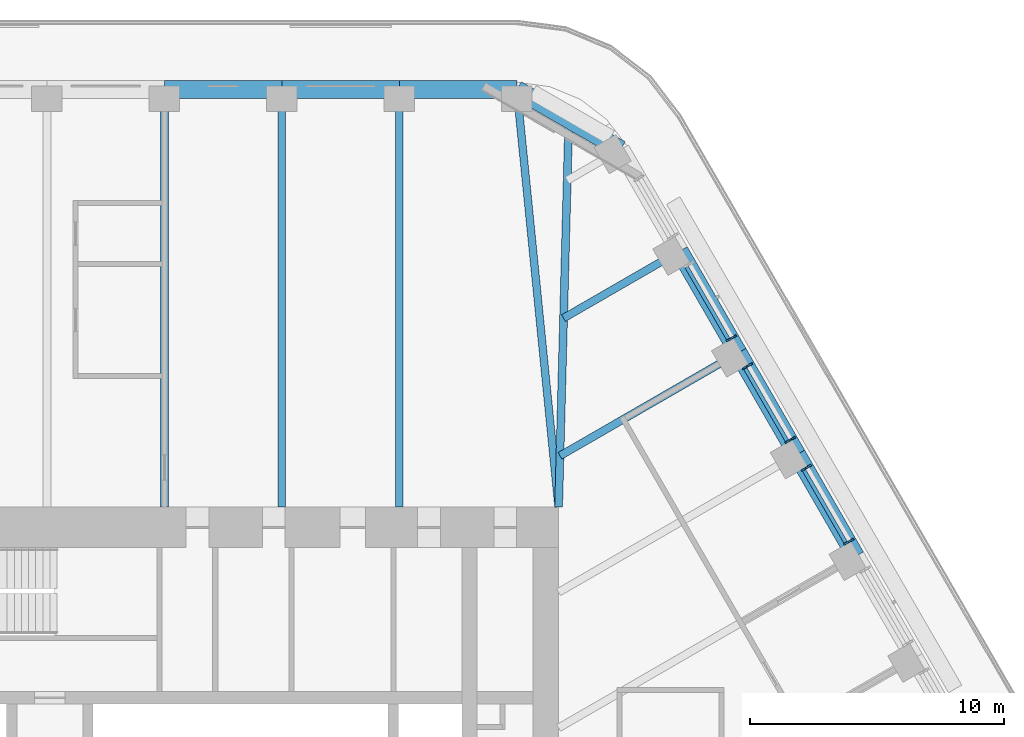
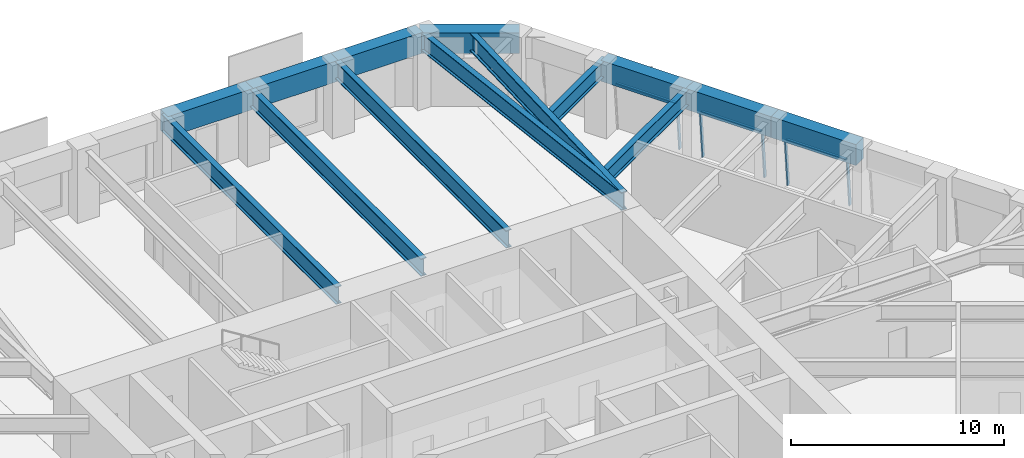
# One storey, part 11 of 20: 14 beams, 8 members, 3 elements without a shape of their own.
"""IFC4 building model written with IfcOpenShell, lengths in metres."""

from ifc_helpers import new_model, si_unit, direction, frame, origin, origin_2d, place, context, subcontext, project, spatial, rectangle, i_section, extrude, material, material_profile, profile_set, type_object, element, aggregate, save


model = new_model("IFC4")

# Units and contexts
model_context = context("Model", 3, precision=1e-05, world=origin(), true_north=direction((0.0, 1.0)))
body_context = subcontext(model_context, "Body", "Model", "MODEL_VIEW")
ifc_project = project(units=[si_unit("LENGTHUNIT", "METRE"), si_unit("AREAUNIT", "SQUARE_METRE"), si_unit("VOLUMEUNIT", "CUBIC_METRE"), si_unit("PLANEANGLEUNIT", "RADIAN"), si_unit("MASSUNIT", "GRAM", prefix="KILO")], contexts=[model_context])

# Site, building, storey
site_placement = place(None, origin())
site = spatial("IfcSite", under=ifc_project, at=site_placement, CompositionType="ELEMENT")
building_placement = place(site_placement, origin())
building = spatial("IfcBuilding", under=site, at=building_placement, Name="Tarfa Lantern Tower", CompositionType="ELEMENT")
storey_placement = place(building_placement, frame((0.0, 0.0, 261.699951171875)))
storey = spatial("IfcBuildingStorey", under=building, at=storey_placement, Name="L59", CompositionType="ELEMENT", Elevation=261.699951171875)

# Curtain wall, members
ifc_material_1 = material(Name="Aluminium framed curtain wall", Category="aluminium")
curtain_wall_type = type_object("IfcCurtainWallType", Name="CW3 CANTED GLAZING HIGH ZONE 2800", PredefinedType="USERDEFINED", material=ifc_material_1)
curtain_wall_1_placement = place(storey_placement, origin())
curtain_wall_1 = element("IfcCurtainWall", 1, at=curtain_wall_1_placement, inside=storey, type_object=curtain_wall_type, Name="CW3 NE L59", ObjectType="CURTAIN WALL", PredefinedType="USERDEFINED")
ifc_material_2 = material(Name="Aluminium mullion", Category="aluminium")
ifc_material_profile_1 = material_profile(ifc_material_2, rectangle(XDim=0.06494140625, YDim=0.199951171875, at=origin_2d()), Name="AL MULLION 65x200")
ifc_profile_set_1 = profile_set([ifc_material_profile_1], Name="Aluminium mullion")
member_type_1 = type_object("IfcMemberType", Name="CWM1 MULLION 65x200", PredefinedType="MULLION", material=ifc_profile_set_1)
member_1_placement = place(storey_placement, frame((27.021240234375, 10.997802734375, 0.0), z_axis=(-0.077032386753, -0.044465143199, 0.996036576854), x_axis=(0.499919672301, -0.866071776036, 0.0)))
member_1 = element("IfcMember", 2, at=member_1_placement, type_object=member_type_1, Name="CW3 mullion 1", PredefinedType="MULLION", context=body_context, shape_type="SweptSolid", body=[
    extrude(rectangle(XDim=0.06494140625, YDim=0.199951171875, at=origin_2d()), origin(), (0.0, 0.0, 1.0), 2.811279296875),
])
member_2_placement = place(storey_placement, frame((25.344482421875, 13.90234375, 0.0), z_axis=(-0.077032386753, -0.044465143199, 0.996036576854), x_axis=(0.499919672301, -0.866071776036, 0.0)))
member_2 = element("IfcMember", 3, at=member_2_placement, type_object=member_type_1, Name="CW3 mullion 2", PredefinedType="MULLION", context=body_context, shape_type="SweptSolid", body=[
    extrude(rectangle(XDim=0.06494140625, YDim=0.199951171875, at=origin_2d()), origin(), (0.0, 0.0, 1.0), 2.811279296875),
])

curtain_wall_2_placement = place(storey_placement, origin())
curtain_wall_2 = element("IfcCurtainWall", 4, at=curtain_wall_2_placement, inside=storey, type_object=curtain_wall_type, Name="CW3 NE L59", ObjectType="CURTAIN WALL", PredefinedType="USERDEFINED")
member_3_placement = place(storey_placement, frame((24.7119140625, 14.997802734375, 0.0), z_axis=(-0.077032386753, -0.044465143199, 0.996036576854), x_axis=(0.499919672301, -0.866071776036, 0.0)))
member_3 = element("IfcMember", 5, at=member_3_placement, type_object=member_type_1, Name="CW3 mullion 1", PredefinedType="MULLION", context=body_context, shape_type="SweptSolid", body=[
    extrude(rectangle(XDim=0.06494140625, YDim=0.199951171875, at=origin_2d()), origin(), (0.0, 0.0, 1.0), 2.811279296875),
])
member_4_placement = place(storey_placement, frame((23.034912109375, 17.90234375, 0.0), z_axis=(-0.077032386753, -0.044465143199, 0.996036576854), x_axis=(0.499919672301, -0.866071776036, 0.0)))
member_4 = element("IfcMember", 6, at=member_4_placement, type_object=member_type_1, Name="CW3 mullion 2", PredefinedType="MULLION", context=body_context, shape_type="SweptSolid", body=[
    extrude(rectangle(XDim=0.06494140625, YDim=0.199951171875, at=origin_2d()), origin(), (0.0, 0.0, 1.0), 2.811279296875),
])

# Curtain wall, member
curtain_wall_3_placement = place(storey_placement, origin())
curtain_wall_3 = element("IfcCurtainWall", 7, at=curtain_wall_3_placement, inside=storey, type_object=curtain_wall_type, Name="CW3 NE L59", ObjectType="CURTAIN WALL", PredefinedType="USERDEFINED")
member_5_placement = place(storey_placement, frame((22.402587890625, 18.997802734375, 0.0), z_axis=(-0.077032386753, -0.044465143199, 0.996036576854), x_axis=(0.499919672301, -0.866071776036, 0.0)))
member_5 = element("IfcMember", 8, at=member_5_placement, type_object=member_type_1, Name="CW3 mullion 1", PredefinedType="MULLION", context=body_context, shape_type="SweptSolid", body=[
    extrude(rectangle(XDim=0.06494140625, YDim=0.199951171875, at=origin_2d()), origin(), (0.0, 0.0, 1.0), 2.811279296875),
])

# Member
ifc_material_3 = material(Name="Aluminium transom", Category="aluminium")
ifc_material_profile_2 = material_profile(ifc_material_3, rectangle(XDim=0.14990234375, YDim=0.06494140625, at=origin_2d()), Name="AL TRANSOM 150x65")
ifc_profile_set_2 = profile_set([ifc_material_profile_2], Name="Aluminium transom")
member_type_2 = type_object("IfcMemberType", Name="CWT1 TRANSOM 150x65", PredefinedType="USERDEFINED", material=ifc_profile_set_2)
member_6_placement = place(storey_placement, frame((26.791015625, 10.90234375, 2.767578125), z_axis=(-0.499979497339, 0.866037240677, 0.0), x_axis=(-0.866037240677, -0.499979497339, 0.0)))
member_6 = element("IfcMember", 9, at=member_6_placement, type_object=member_type_2, Name="CW3 transom 1.2", ObjectType="TRANSOM", PredefinedType="USERDEFINED", context=body_context, shape_type="SweptSolid", body=[
    extrude(rectangle(XDim=0.14990234375, YDim=0.06494140625, at=origin_2d()), origin(), (0.0, 0.0, 1.0), 3.288818359375),
])

aggregate(curtain_wall_1, [member_1, member_2, member_6])

member_7_placement = place(storey_placement, frame((24.481689453125, 14.90234375, 2.767578125), z_axis=(-0.500035172766, 0.866005095826, 0.0), x_axis=(-0.866005095826, -0.500035172766, 0.0)))
member_7 = element("IfcMember", 10, at=member_7_placement, type_object=member_type_2, Name="CW3 transom 1.2", ObjectType="TRANSOM", PredefinedType="USERDEFINED", context=body_context, shape_type="SweptSolid", body=[
    extrude(rectangle(XDim=0.14990234375, YDim=0.06494140625, at=origin_2d()), origin(), (0.0, 0.0, 1.0), 3.288818359375),
])

aggregate(curtain_wall_2, [member_3, member_4, member_7])

member_8_placement = place(storey_placement, frame((22.172119140625, 18.90234375, 2.767578125), z_axis=(-0.499979497339, 0.866037240677, 0.0), x_axis=(-0.866037240677, -0.499979497339, 0.0)))
member_8 = element("IfcMember", 11, at=member_8_placement, type_object=member_type_2, Name="CW3 transom 1.2", ObjectType="TRANSOM", PredefinedType="USERDEFINED", context=body_context, shape_type="SweptSolid", body=[
    extrude(rectangle(XDim=0.14990234375, YDim=0.06494140625, at=origin_2d()), origin(), (0.0, 0.0, 1.0), 3.288818359375),
])

aggregate(curtain_wall_3, [member_5, member_8])

# Beams
ifc_material_4 = material(Name="Concrete C80/95", Category="concrete")
ifc_material_profile_3 = material_profile(ifc_material_4, rectangle(XDim=0.699951171875, YDim=1.199951171875, at=origin_2d()), Name="RC 700x1200")
ifc_profile_set_3 = profile_set([ifc_material_profile_3], Name="Concrete C80/95")
beam_type_1 = type_object("IfcBeamType", Name="EB3 RC 700x1200", PredefinedType="SPANDREL", material=ifc_profile_set_3)
beam_1_placement = place(storey_placement, frame((27.181640625, 10.360107421875, 3.400146484375), z_axis=(-0.499987836815, 0.866032426089, 0.0), x_axis=(-0.866032426089, -0.499987836815, 0.0)))
element("IfcBeam", 12, at=beam_1_placement, inside=storey, type_object=beam_type_1, Name="Edge beam NE2", PredefinedType="SPANDREL", context=body_context, shape_type="SweptSolid", body=[
    extrude(rectangle(XDim=0.699951171875, YDim=1.199951171875, at=origin_2d()), origin(), (0.0, 0.0, 1.0), 4.61865234375),
])
beam_2_placement = place(storey_placement, frame((24.872314453125, 14.360107421875, 3.400146484375), z_axis=(-0.500027479704, 0.866009537788, 0.0), x_axis=(-0.866009537788, -0.500027479704, 0.0)))
element("IfcBeam", 13, at=beam_2_placement, inside=storey, type_object=beam_type_1, Name="Edge beam NE3", PredefinedType="SPANDREL", context=body_context, shape_type="SweptSolid", body=[
    extrude(rectangle(XDim=0.699951171875, YDim=1.199951171875, at=origin_2d()), origin(), (0.0, 0.0, 1.0), 4.618896484375),
])
beam_3_placement = place(storey_placement, frame((22.562744140625, 18.360107421875, 3.400146484375), z_axis=(-0.499987836815, 0.866032426089, 0.0), x_axis=(-0.866032426089, -0.499987836815, 0.0)))
element("IfcBeam", 14, at=beam_3_placement, inside=storey, type_object=beam_type_1, Name="Edge beam NE4", PredefinedType="SPANDREL", context=body_context, shape_type="SweptSolid", body=[
    extrude(rectangle(XDim=0.699951171875, YDim=1.199951171875, at=origin_2d()), origin(), (0.0, 0.0, 1.0), 4.61865234375),
])
beam_4_placement = place(storey_placement, frame((17.944091796875, 26.360107421875, 3.400146484375), z_axis=(-0.866038294681, 0.499977671647, 0.0), x_axis=(-0.499977671647, -0.866038294681, 0.0)))
element("IfcBeam", 15, at=beam_4_placement, inside=storey, type_object=beam_type_1, Name="Edge beam NE6", PredefinedType="SPANDREL", context=body_context, shape_type="SweptSolid", body=[
    extrude(rectangle(XDim=0.699951171875, YDim=1.199951171875, at=origin_2d()), origin(), (0.0, 0.0, 1.0), 4.719970703125),
])
beam_5_placement = place(storey_placement, frame((13.8564453125, 28.719970703125, 3.400146484375), z_axis=(-1.0, 0.0, 0.0), x_axis=(0.0, -1.0, 0.0)))
element("IfcBeam", 16, at=beam_5_placement, inside=storey, type_object=beam_type_1, Name="Edge beam N0", PredefinedType="SPANDREL", context=body_context, shape_type="SweptSolid", body=[
    extrude(rectangle(XDim=0.699951171875, YDim=1.199951171875, at=origin_2d()), origin(), (0.0, 0.0, 1.0), 4.618896484375),
])
beam_6_placement = place(storey_placement, frame((9.237548828125, 28.719970703125, 3.400146484375), z_axis=(-1.0, 0.0, 0.0), x_axis=(0.0, -1.0, 0.0)))
element("IfcBeam", 17, at=beam_6_placement, inside=storey, type_object=beam_type_1, Name="Edge beam N1", PredefinedType="SPANDREL", context=body_context, shape_type="SweptSolid", body=[
    extrude(rectangle(XDim=0.699951171875, YDim=1.199951171875, at=origin_2d()), origin(), (0.0, 0.0, 1.0), 4.61865234375),
])
beam_7_placement = place(storey_placement, frame((4.618896484375, 28.719970703125, 3.400146484375), z_axis=(-1.0, 0.0, 0.0), x_axis=(0.0, -1.0, 0.0)))
element("IfcBeam", 18, at=beam_7_placement, inside=storey, type_object=beam_type_1, Name="Edge beam N2", PredefinedType="SPANDREL", context=body_context, shape_type="SweptSolid", body=[
    extrude(rectangle(XDim=0.699951171875, YDim=1.199951171875, at=origin_2d()), origin(), (0.0, 0.0, 1.0), 4.618896484375),
])
ifc_material_5 = material(Name="Steel S460M", Category="steel")
ifc_material_profile_4 = material_profile(ifc_material_5, i_section(OverallWidth=0.302001953125, OverallDepth=1.008056640625, WebThickness=0.02099609375, FlangeThickness=0.0400390625, FilletRadius=0.030029296875, at=origin_2d()), Name="UB1016x305x349")
ifc_profile_set_4 = profile_set([ifc_material_profile_4], Name="Steel S460M")
beam_type_2 = type_object("IfcBeamType", Name="UB1016x305x349", PredefinedType="BEAM", material=ifc_profile_set_4)
beam_8_placement = place(storey_placement, frame((13.8564453125, 28.719970703125, 3.49609375), z_axis=(0.099597466746, -0.995027810977, 0.0), x_axis=(0.995027810977, 0.099597466746, 0.0)))
element("IfcBeam", 19, at=beam_8_placement, inside=storey, type_object=beam_type_2, Name="Floor beam N0", PredefinedType="BEAM", context=body_context, shape_type="SweptSolid", body=[
    extrude(i_section(OverallWidth=0.302001953125, OverallDepth=1.008056640625, WebThickness=0.02099609375, FlangeThickness=0.0400390625, FilletRadius=0.030029296875, at=origin_2d()), origin(), (0.0, 0.0, 1.0), 16.501953125),
])
for number, where, z_axis, x_axis, name in (
    (20, (9.237548828125, 28.719970703125, 3.49609375), (0.0, -1.0, 0.0), (1.0, 0.0, 0.0), "Floor beam N1"),
    (21, (4.618896484375, 28.719970703125, 3.49609375), (0.0, -1.0, 0.0), (1.0, 0.0, 0.0), "Floor beam N2"),
    (22, (0.0, 28.719970703125, 3.49609375), (0.0, -1.0, 0.0), (1.0, 0.0, 0.0), "Floor beam N3"),
):
    element("IfcBeam", number, at=place(storey_placement, frame(where, z_axis=z_axis, x_axis=x_axis)), inside=storey, type_object=beam_type_2, Name=name, PredefinedType="BEAM", context=body_context, shape_type="SweptSolid", body=[
        extrude(i_section(OverallWidth=0.302001953125, OverallDepth=1.008056640625, WebThickness=0.02099609375, FlangeThickness=0.0400390625, FilletRadius=0.030029296875, at=origin_2d()), origin(), (0.0, 0.0, 1.0), 16.419921875),
    ])
ifc_material_profile_5 = material_profile(ifc_material_5, i_section(OverallWidth=0.30859375, OverallDepth=1.036376953125, WebThickness=0.030029296875, FlangeThickness=0.05419921875, FilletRadius=0.030029296875, at=origin_2d()), Name="UB1016x305x487")
ifc_profile_set_5 = profile_set([ifc_material_profile_5], Name="Steel S460M")
beam_type_3 = type_object("IfcBeamType", Name="UB1016x305x487", PredefinedType="BEAM", material=ifc_profile_set_5)
beam_9_placement = place(storey_placement, frame((15.5, 12.300048828125, 3.48193359375), z_axis=(0.026247301989, 0.999655480222, 0.0), x_axis=(-0.999655480222, 0.026247301989, 0.0)))
element("IfcBeam", 23, at=beam_9_placement, inside=storey, type_object=beam_type_3, Name="Hip girder NE", PredefinedType="BEAM", context=body_context, shape_type="SweptSolid", body=[
    extrude(i_section(OverallWidth=0.30859375, OverallDepth=1.036376953125, WebThickness=0.030029296875, FlangeThickness=0.05419921875, FilletRadius=0.030029296875, at=origin_2d()), origin(), (0.0, 0.0, 1.0), 15.245361328125),
])
ifc_material_profile_6 = material_profile(ifc_material_5, i_section(OverallWidth=0.305419921875, OverallDepth=0.91845703125, WebThickness=0.017333984375, FlangeThickness=0.02783203125, FilletRadius=0.01904296875, at=origin_2d()), Name="UB914x305x253")
ifc_profile_set_6 = profile_set([ifc_material_profile_6], Name="Steel S460M")
beam_type_4 = type_object("IfcBeamType", Name="UB914x305x253", PredefinedType="BEAM", material=ifc_profile_set_6)
beam_10_placement = place(storey_placement, frame((22.562744140625, 18.360107421875, 3.540771484375), z_axis=(-0.866010787764, -0.500025314835, 0.0), x_axis=(0.500025314835, -0.866010787764, 0.0)))
element("IfcBeam", 24, at=beam_10_placement, inside=storey, type_object=beam_type_4, Name="Floor beam NE4", PredefinedType="BEAM", context=body_context, shape_type="SweptSolid", body=[
    extrude(i_section(OverallWidth=0.305419921875, OverallDepth=0.91845703125, WebThickness=0.017333984375, FlangeThickness=0.02783203125, FilletRadius=0.01904296875, at=origin_2d()), origin(), (0.0, 0.0, 1.0), 8.09423828125),
])
beam_11_placement = place(storey_placement, frame((20.25341796875, 22.360107421875, 3.540771484375), z_axis=(-0.86601951648, -0.500010196972, 0.0), x_axis=(0.500010196972, -0.86601951648, 0.0)))
element("IfcBeam", 25, at=beam_11_placement, inside=storey, type_object=beam_type_4, Name="Floor beam NE5", PredefinedType="BEAM", context=body_context, shape_type="SweptSolid", body=[
    extrude(i_section(OverallWidth=0.305419921875, OverallDepth=0.91845703125, WebThickness=0.017333984375, FlangeThickness=0.02783203125, FilletRadius=0.01904296875, at=origin_2d()), origin(), (0.0, 0.0, 1.0), 5.263671875),
])

save(model, "model.ifc")
